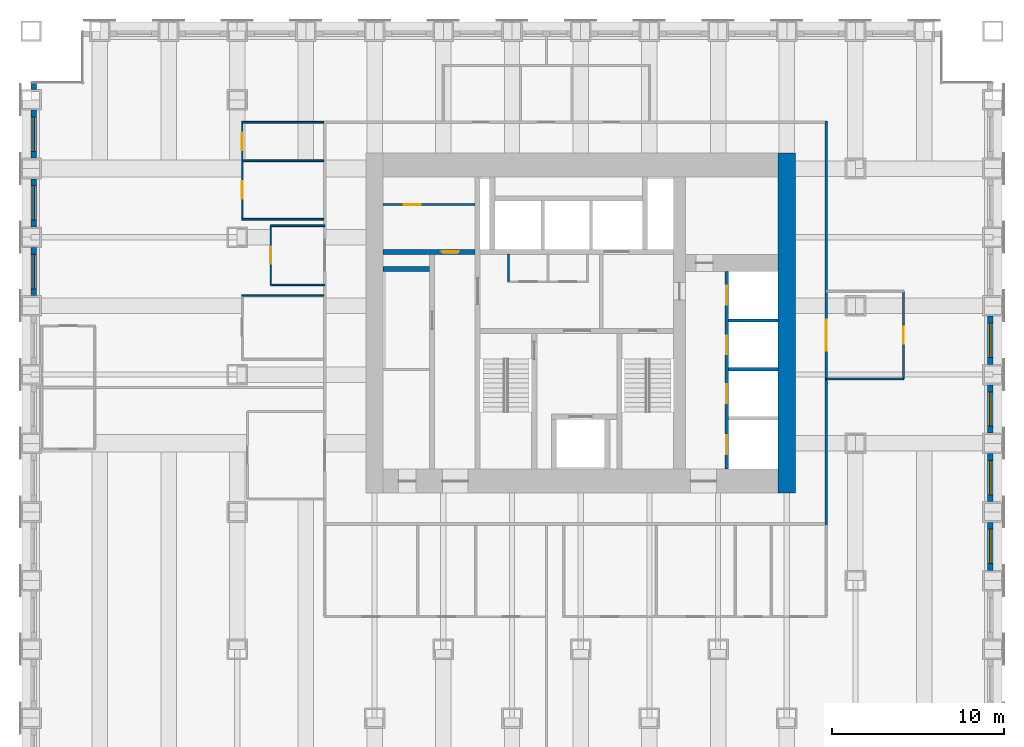
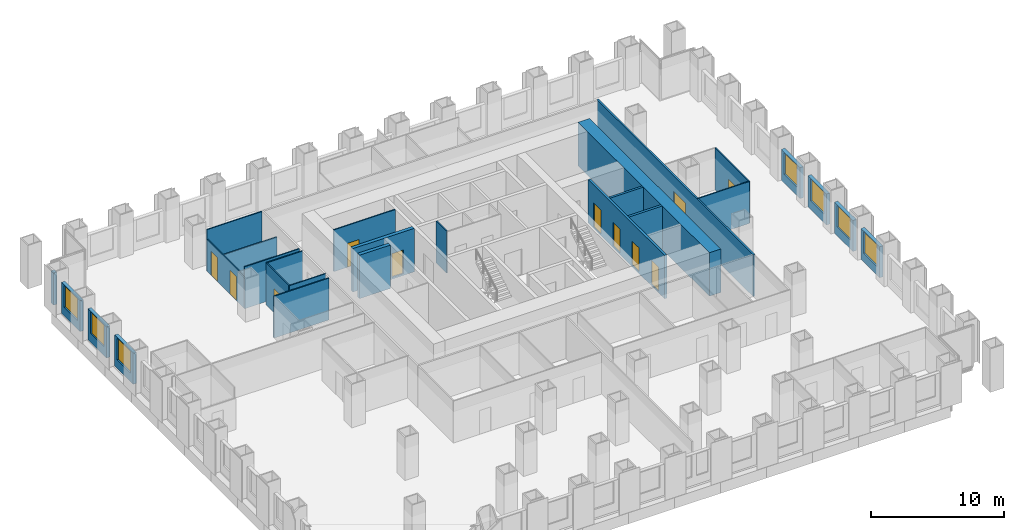
# One storey, part 11 of 15: 27 walls, 11 doors, 7 windows, 18 openings.
"""IFC4 building model written with IfcOpenShell, lengths in metres."""

from ifc_helpers import new_model, si_unit, direction, frame, frame_2d, origin, place, context, subcontext, project, spatial, rectangle, extrude, material, layer, layer_set, type_object, element, fill, save


model = new_model("IFC4")

# Units and contexts
model_context = context("Model", 3, precision=1e-05, world=origin(), true_north=direction((0.0, 1.0)))
body_context = subcontext(model_context, "Body", "Model", "MODEL_VIEW")
ifc_project = project(units=[si_unit("LENGTHUNIT", "METRE"), si_unit("AREAUNIT", "SQUARE_METRE"), si_unit("VOLUMEUNIT", "CUBIC_METRE"), si_unit("PLANEANGLEUNIT", "RADIAN"), si_unit("MASSUNIT", "GRAM", prefix="KILO")], contexts=[model_context])

# Site, building, storey
site_placement = place(None, origin())
site = spatial("IfcSite", under=ifc_project, at=site_placement, CompositionType="ELEMENT")
building_placement = place(site_placement, origin())
building = spatial("IfcBuilding", under=site, at=building_placement, Name="Rimbunsela Tower", CompositionType="ELEMENT")
storey_placement = place(building_placement, frame((0.0, 0.0, 31.0)))
storey = spatial("IfcBuildingStorey", under=building, at=storey_placement, Name="L07", CompositionType="ELEMENT", Elevation=31.0)

# Wall, opening, door
ifc_material_1 = material(Name="Concrete fc' 80 MPa", Category="concrete")
ifc_layer_1 = layer(ifc_material_1, 0.300048828125)
ifc_layer_set_1 = layer_set([ifc_layer_1], Name="Core internal wall 300")
wall_type_1 = type_object("IfcWallType", Name="Core internal wall 300", PredefinedType="SHEAR", material=ifc_layer_set_1)
wall_1_placement = place(storey_placement, frame((18.5, 31.14990234375, -0.14990234375), z_axis=(0.0, 0.0, 1.0), x_axis=(1.0, 0.0, 0.0)))
wall_1 = element("IfcWall", 1, at=wall_1_placement, inside=storey, type_object=wall_type_1, Name="Store wall", PredefinedType="SHEAR", context=body_context, shape_type="SweptSolid", body=[
    extrude(rectangle(XDim=5.35009765625, YDim=0.300048828125, at=frame_2d((2.675048828125, 0.0))), origin(), (0.0, 0.0, 1.0), 4.0),
])
opening_1_placement = place(wall_1_placement, frame((3.39990234375, 0.0, 0.14990234375)))
opening_1 = element("IfcOpeningElement", 2, at=opening_1_placement, cuts=wall_1, Name="Opening D19", PredefinedType="OPENING", context=body_context, shape_type="SweptSolid", body=[
    extrude(rectangle(XDim=1.0, YDim=2.199951171875, at=frame_2d((0.5, 1.10009765625))), frame((0.0, 0.159912109375, 0.0), z_axis=(0.0, -1.0, 0.0), x_axis=(1.0, 0.0, 0.0)), (0.0, 0.0, 1.0), 0.320068359375),
])
ifc_material_2 = material(Name="Steel door, fire rated", Category="steel")
door_type_1 = type_object("IfcDoorType", Name="Service door 1000 fire rated", OperationType="SINGLE_SWING_LEFT", PredefinedType="DOOR", material=ifc_material_2)
door_1_placement = place(opening_1_placement, origin())
door_1 = element("IfcDoor", 3, at=door_1_placement, inside=storey, type_object=door_type_1, Name="Cleaners store door", OperationType="SINGLE_SWING_LEFT", OverallHeight=2.199951171875, OverallWidth=1.0, PredefinedType="DOOR", context=body_context, shape_type="SweptSolid", body=[
    extrude(rectangle(XDim=1.0, YDim=2.199951171875, at=frame_2d((0.5, 1.10009765625))), frame((0.0, 0.02490234375, 0.0), z_axis=(0.0, -1.0, 0.0), x_axis=(1.0, 0.0, 0.0)), (0.0, 0.0, 1.0), 0.050048828125),
])
fill(opening_1, door_1)

# Wall
wall_2_placement = place(storey_placement, frame((18.5, 30.14990234375, -0.14990234375), z_axis=(0.0, 0.0, 1.0), x_axis=(1.0, 0.0, 0.0)))
element("IfcWall", 4, at=wall_2_placement, inside=storey, type_object=wall_type_1, Name="Lift shaft rear west", PredefinedType="SHEAR", context=body_context, shape_type="SweptSolid", body=[
    extrude(rectangle(XDim=2.699951171875, YDim=0.300048828125, at=frame_2d((1.35009765625, 0.0))), origin(), (0.0, 0.0, 1.0), 4.0),
])

# Wall, opening, door
ifc_material_3 = material(Name="Concrete blockwork", Category="masonry")
ifc_layer_2 = layer(ifc_material_3, 0.10009765625)
ifc_layer_set_2 = layer_set([ifc_layer_2], Name="Core room partition 100")
wall_type_2 = type_object("IfcWallType", Name="Core room partition 100", PredefinedType="PARTITIONING", material=ifc_layer_set_2)
wall_3_placement = place(storey_placement, frame((18.5, 33.89990234375, 0.0), z_axis=(0.0, 0.0, 1.0), x_axis=(1.0, 0.0, 0.0)))
wall_3 = element("IfcWall", 5, at=wall_3_placement, inside=storey, type_object=wall_type_2, Name="Equipment store wall", PredefinedType="PARTITIONING", context=body_context, shape_type="SweptSolid", body=[
    extrude(rectangle(XDim=5.35009765625, YDim=0.10009765625, at=frame_2d((2.675048828125, 0.0))), origin(), (0.0, 0.0, 1.0), 3.85009765625),
])
opening_2_placement = place(wall_3_placement, frame((1.199951171875, 0.0, 0.0)))
opening_2 = element("IfcOpeningElement", 6, at=opening_2_placement, cuts=wall_3, Name="Opening D19", PredefinedType="OPENING", context=body_context, shape_type="SweptSolid", body=[
    extrude(rectangle(XDim=1.0, YDim=2.199951171875, at=frame_2d((0.5, 1.10009765625))), frame((0.0, 0.06005859375, 0.0), z_axis=(0.0, -1.0, 0.0), x_axis=(1.0, 0.0, 0.0)), (0.0, 0.0, 1.0), 0.1201171875),
])
door_2_placement = place(opening_2_placement, origin())
door_2 = element("IfcDoor", 7, at=door_2_placement, inside=storey, type_object=door_type_1, Name="Equipment store door", OperationType="SINGLE_SWING_LEFT", OverallHeight=2.199951171875, OverallWidth=1.0, PredefinedType="DOOR", context=body_context, shape_type="SweptSolid", body=[
    extrude(rectangle(XDim=1.0, YDim=2.199951171875, at=frame_2d((0.5, 1.10009765625))), frame((0.0, 0.02490234375, 0.0), z_axis=(0.0, -1.0, 0.0), x_axis=(1.0, 0.0, 0.0)), (0.0, 0.0, 1.0), 0.050048828125),
])
fill(opening_2, door_2)

# Walls
wall_4_placement = place(storey_placement, frame((25.800048828125, 29.449951171875, 0.0), z_axis=(0.0, 0.0, 1.0), x_axis=(0.0, 1.0, 0.0)))
element("IfcWall", 8, at=wall_4_placement, inside=storey, type_object=wall_type_2, Name="Lobby room wall", PredefinedType="PARTITIONING", context=body_context, shape_type="SweptSolid", body=[
    extrude(rectangle(XDim=1.550048828125, YDim=0.10009765625, at=frame_2d((0.77490234375, 0.0))), origin(), (0.0, 0.0, 1.0), 3.85009765625),
])
ifc_material_4 = material(Name="Concrete fc' 80 MPa", Category="concrete")
ifc_layer_3 = layer(ifc_material_4, 1.0)
ifc_layer_set_3 = layer_set([ifc_layer_3], Name="Core wall 1000")
wall_type_3 = type_object("IfcWallType", Name="Core wall 1000", PredefinedType="SHEAR", material=ifc_layer_set_3)
wall_5_placement = place(storey_placement, frame((42.0, 17.10009765625, -0.14990234375), z_axis=(0.0, 0.0, 1.0), x_axis=(0.0, 1.0, 0.0)))
element("IfcWall", 9, at=wall_5_placement, inside=storey, type_object=wall_type_3, Name="Core wall east", PredefinedType="SHEAR", context=body_context, shape_type="SweptSolid", body=[
    extrude(rectangle(XDim=19.7998046875, YDim=1.0, at=frame_2d((9.89990234375, 0.0))), origin(), (0.0, 0.0, 1.0), 4.0),
])

# Wall, openings, doors
ifc_material_5 = material(Name="Concrete blockwork", Category="masonry")
ifc_layer_4 = layer(ifc_material_5, 0.199951171875)
ifc_layer_set_4 = layer_set([ifc_layer_4], Name="Lift shaft wall 200")
wall_type_4 = type_object("IfcWallType", Name="Lift shaft wall 200", PredefinedType="SOLIDWALL", material=ifc_layer_set_4)
wall_6_placement = place(storey_placement, frame((38.5, 18.5, -0.14990234375), z_axis=(0.0, 0.0, 1.0), x_axis=(0.0, 1.0, 0.0)))
wall_6 = element("IfcWall", 10, at=wall_6_placement, inside=storey, type_object=wall_type_4, Name="Lift shaft front east", PredefinedType="SOLIDWALL", context=body_context, shape_type="SweptSolid", body=[
    extrude(rectangle(XDim=11.5, YDim=0.199951171875, at=frame_2d((5.75, 0.0))), origin(), (0.0, 0.0, 1.0), 4.0),
])
opening_3_placement = place(wall_6_placement, frame((0.875, 0.0, 0.14990234375)))
opening_3 = element("IfcOpeningElement", 11, at=opening_3_placement, cuts=wall_6, Name="Opening LD1", PredefinedType="OPENING", context=body_context, shape_type="SweptSolid", body=[
    extrude(rectangle(XDim=1.10009765625, YDim=2.199951171875, at=frame_2d((0.550048828125, 1.10009765625))), frame((0.0, 0.10986328125, 0.0), z_axis=(0.0, -1.0, 0.0), x_axis=(1.0, 0.0, 0.0)), (0.0, 0.0, 1.0), 0.219970703125),
])
opening_4_placement = place(wall_6_placement, frame((3.824951171875, 0.0, 0.14990234375)))
opening_4 = element("IfcOpeningElement", 12, at=opening_4_placement, cuts=wall_6, Name="Opening LD1", PredefinedType="OPENING", context=body_context, shape_type="SweptSolid", body=[
    extrude(rectangle(XDim=1.10009765625, YDim=2.199951171875, at=frame_2d((0.550048828125, 1.10009765625))), frame((0.0, 0.10986328125, 0.0), z_axis=(0.0, -1.0, 0.0), x_axis=(1.0, 0.0, 0.0)), (0.0, 0.0, 1.0), 0.219970703125),
])
opening_5_placement = place(wall_6_placement, frame((6.675048828125, 0.0, 0.14990234375)))
opening_5 = element("IfcOpeningElement", 13, at=opening_5_placement, cuts=wall_6, Name="Opening LD1", PredefinedType="OPENING", context=body_context, shape_type="SweptSolid", body=[
    extrude(rectangle(XDim=1.10009765625, YDim=2.199951171875, at=frame_2d((0.550048828125, 1.10009765625))), frame((0.0, 0.10986328125, 0.0), z_axis=(0.0, -1.0, 0.0), x_axis=(1.0, 0.0, 0.0)), (0.0, 0.0, 1.0), 0.219970703125),
])
opening_6_placement = place(wall_6_placement, frame((9.574951171875, 0.0, 0.14990234375)))
opening_6 = element("IfcOpeningElement", 14, at=opening_6_placement, cuts=wall_6, Name="Opening LD1", PredefinedType="OPENING", context=body_context, shape_type="SweptSolid", body=[
    extrude(rectangle(XDim=1.10009765625, YDim=2.199951171875, at=frame_2d((0.550048828125, 1.10009765625))), frame((0.0, 0.10986328125, 0.0), z_axis=(0.0, -1.0, 0.0), x_axis=(1.0, 0.0, 0.0)), (0.0, 0.0, 1.0), 0.219970703125),
])
ifc_material_6 = material(Name="Steel door, fire rated", Category="steel")
door_type_2 = type_object("IfcDoorType", Name="Lift landing door 1100", OperationType="DOUBLE_DOOR_SLIDING", PredefinedType="DOOR", material=ifc_material_6)
door_3_placement = place(opening_3_placement, origin())
door_3 = element("IfcDoor", 15, at=door_3_placement, inside=storey, type_object=door_type_2, Name="Lift landing door LL1", OperationType="DOUBLE_DOOR_SLIDING", OverallHeight=2.199951171875, OverallWidth=1.10009765625, PredefinedType="DOOR", context=body_context, shape_type="SweptSolid", body=[
    extrude(rectangle(XDim=1.10009765625, YDim=2.199951171875, at=frame_2d((0.550048828125, 1.10009765625))), frame((0.0, 0.02490234375, 0.0), z_axis=(0.0, -1.0, 0.0), x_axis=(1.0, 0.0, 0.0)), (0.0, 0.0, 1.0), 0.050048828125),
])
fill(opening_3, door_3)
door_4_placement = place(opening_4_placement, origin())
door_4 = element("IfcDoor", 16, at=door_4_placement, inside=storey, type_object=door_type_2, Name="Lift landing door LL2", OperationType="DOUBLE_DOOR_SLIDING", OverallHeight=2.199951171875, OverallWidth=1.10009765625, PredefinedType="DOOR", context=body_context, shape_type="SweptSolid", body=[
    extrude(rectangle(XDim=1.10009765625, YDim=2.199951171875, at=frame_2d((0.550048828125, 1.10009765625))), frame((0.0, 0.02490234375, 0.0), z_axis=(0.0, -1.0, 0.0), x_axis=(1.0, 0.0, 0.0)), (0.0, 0.0, 1.0), 0.050048828125),
])
fill(opening_4, door_4)
door_5_placement = place(opening_5_placement, origin())
door_5 = element("IfcDoor", 17, at=door_5_placement, inside=storey, type_object=door_type_2, Name="Lift landing door LL3", OperationType="DOUBLE_DOOR_SLIDING", OverallHeight=2.199951171875, OverallWidth=1.10009765625, PredefinedType="DOOR", context=body_context, shape_type="SweptSolid", body=[
    extrude(rectangle(XDim=1.10009765625, YDim=2.199951171875, at=frame_2d((0.550048828125, 1.10009765625))), frame((0.0, 0.02490234375, 0.0), z_axis=(0.0, -1.0, 0.0), x_axis=(1.0, 0.0, 0.0)), (0.0, 0.0, 1.0), 0.050048828125),
])
fill(opening_5, door_5)
door_6_placement = place(opening_6_placement, origin())
door_6 = element("IfcDoor", 18, at=door_6_placement, inside=storey, type_object=door_type_2, Name="Lift landing door LL4", OperationType="DOUBLE_DOOR_SLIDING", OverallHeight=2.199951171875, OverallWidth=1.10009765625, PredefinedType="DOOR", context=body_context, shape_type="SweptSolid", body=[
    extrude(rectangle(XDim=1.10009765625, YDim=2.199951171875, at=frame_2d((0.550048828125, 1.10009765625))), frame((0.0, 0.02490234375, 0.0), z_axis=(0.0, -1.0, 0.0), x_axis=(1.0, 0.0, 0.0)), (0.0, 0.0, 1.0), 0.050048828125),
])
fill(opening_6, door_6)

# Walls
for number, where, z_axis, x_axis, name in (
    (19, (38.60009765625, 24.300048828125, -0.14990234375), (0.0, 0.0, 1.0), (1.0, 0.0, 0.0), "Lift shaft separation"),
    (20, (38.60009765625, 27.14990234375, -0.14990234375), (0.0, 0.0, 1.0), (1.0, 0.0, 0.0), "Lift shaft separation"),
):
    element("IfcWall", number, at=place(storey_placement, frame(where, z_axis=z_axis, x_axis=x_axis)), inside=storey, type_object=wall_type_4, Name=name, PredefinedType="SOLIDWALL", context=body_context, shape_type="SweptSolid", body=[
        extrude(rectangle(XDim=2.89990234375, YDim=0.199951171875, at=frame_2d((1.449951171875, 0.0))), origin(), (0.0, 0.0, 1.0), 4.0),
    ])
ifc_material_7 = material(Name="Gypsum board on steel studs", Category="steel")
ifc_layer_5 = layer(ifc_material_7, 0.10009765625)
ifc_layer_set_5 = layer_set([ifc_layer_5], Name="Office partition 100")
wall_type_5 = type_object("IfcWallType", Name="Office partition 100", PredefinedType="PARTITIONING", material=ifc_layer_set_5)
for number, where, z_axis, x_axis, name in (
    (21, (10.25, 28.60009765625, 0.0), (0.0, 0.0, 1.0), (1.0, 0.0, 0.0), "Office partition"),
    (22, (10.25, 33.050048828125, 0.0), (0.0, 0.0, 1.0), (1.0, 0.0, 0.0), "Office partition"),
):
    element("IfcWall", number, at=place(storey_placement, frame(where, z_axis=z_axis, x_axis=x_axis)), inside=storey, type_object=wall_type_5, Name=name, PredefinedType="PARTITIONING", context=body_context, shape_type="SweptSolid", body=[
        extrude(rectangle(XDim=4.77490234375, YDim=0.10009765625, at=frame_2d((2.387451171875, 0.0))), origin(), (0.0, 0.0, 1.0), 3.85009765625),
    ])
wall_7_placement = place(storey_placement, frame((10.35009765625, 36.449951171875, 0.0), z_axis=(0.0, 0.0, 1.0), x_axis=(1.0, 0.0, 0.0)))
element("IfcWall", 23, at=wall_7_placement, inside=storey, type_object=wall_type_5, Name="Office partition", PredefinedType="PARTITIONING", context=body_context, shape_type="SweptSolid", body=[
    extrude(rectangle(XDim=4.6748046875, YDim=0.10009765625, at=frame_2d((2.33740234375, 0.0))), origin(), (0.0, 0.0, 1.0), 2.85009765625),
])
wall_8_placement = place(storey_placement, frame((10.25, 38.699951171875, 0.0), z_axis=(0.0, 0.0, 1.0), x_axis=(1.0, 0.0, 0.0)))
element("IfcWall", 24, at=wall_8_placement, inside=storey, type_object=wall_type_5, Name="Office partition", PredefinedType="PARTITIONING", context=body_context, shape_type="SweptSolid", body=[
    extrude(rectangle(XDim=4.77490234375, YDim=0.10009765625, at=frame_2d((2.387451171875, 0.0))), origin(), (0.0, 0.0, 1.0), 3.85009765625),
])

# Wall, openings, doors
wall_9_placement = place(storey_placement, frame((10.300048828125, 33.10009765625, 0.0), z_axis=(0.0, 0.0, 1.0), x_axis=(0.0, 1.0, 0.0)))
wall_9 = element("IfcWall", 25, at=wall_9_placement, inside=storey, type_object=wall_type_5, Name="Office partition", PredefinedType="PARTITIONING", context=body_context, shape_type="SweptSolid", body=[
    extrude(rectangle(XDim=5.5498046875, YDim=0.10009765625, at=frame_2d((2.77490234375, 0.0))), origin(), (0.0, 0.0, 1.0), 2.949951171875),
])
opening_7_placement = place(wall_9_placement, frame((1.14990234375, 0.0, 0.0)))
opening_7 = element("IfcOpeningElement", 26, at=opening_7_placement, cuts=wall_9, Name="Opening D16", PredefinedType="OPENING", context=body_context, shape_type="SweptSolid", body=[
    extrude(rectangle(XDim=1.0, YDim=2.199951171875, at=frame_2d((0.5, 1.10009765625))), frame((0.0, 0.06005859375, 0.0), z_axis=(0.0, -1.0, 0.0), x_axis=(1.0, 0.0, 0.0)), (0.0, 0.0, 1.0), 0.1201171875),
])
opening_8_placement = place(wall_9_placement, frame((3.97509765625, 0.0, 0.0)))
opening_8 = element("IfcOpeningElement", 27, at=opening_8_placement, cuts=wall_9, Name="Opening D16", PredefinedType="OPENING", context=body_context, shape_type="SweptSolid", body=[
    extrude(rectangle(XDim=1.0, YDim=2.199951171875, at=frame_2d((0.5, 1.10009765625))), frame((0.0, 0.06005859375, 0.0), z_axis=(0.0, -1.0, 0.0), x_axis=(1.0, 0.0, 0.0)), (0.0, 0.0, 1.0), 0.1201171875),
])
ifc_material_8 = material(Name="Timber door", Category="wood")
door_type_3 = type_object("IfcDoorType", Name="Office door 1000", OperationType="SINGLE_SWING_LEFT", PredefinedType="DOOR", material=ifc_material_8)
door_7_placement = place(opening_7_placement, origin())
door_7 = element("IfcDoor", 28, at=door_7_placement, inside=storey, type_object=door_type_3, Name="Office door", OperationType="SINGLE_SWING_LEFT", OverallHeight=2.199951171875, OverallWidth=1.0, PredefinedType="DOOR", context=body_context, shape_type="SweptSolid", body=[
    extrude(rectangle(XDim=1.0, YDim=2.199951171875, at=frame_2d((0.5, 1.10009765625))), frame((0.0, 0.02490234375, 0.0), z_axis=(0.0, -1.0, 0.0), x_axis=(1.0, 0.0, 0.0)), (0.0, 0.0, 1.0), 0.050048828125),
])
fill(opening_7, door_7)
door_8_placement = place(opening_8_placement, origin())
door_8 = element("IfcDoor", 29, at=door_8_placement, inside=storey, type_object=door_type_3, Name="Office door", OperationType="SINGLE_SWING_LEFT", OverallHeight=2.199951171875, OverallWidth=1.0, PredefinedType="DOOR", context=body_context, shape_type="SweptSolid", body=[
    extrude(rectangle(XDim=1.0, YDim=2.199951171875, at=frame_2d((0.5, 1.10009765625))), frame((0.0, 0.02490234375, 0.0), z_axis=(0.0, -1.0, 0.0), x_axis=(1.0, 0.0, 0.0)), (0.0, 0.0, 1.0), 0.050048828125),
])
fill(opening_8, door_8)

# Wall
wall_10_placement = place(storey_placement, frame((15.10009765625, 32.675048828125, 0.0), z_axis=(0.0, 0.0, 1.0), x_axis=(-1.0, 0.0, 0.0)))
element("IfcWall", 30, at=wall_10_placement, inside=storey, type_object=wall_type_5, Name="Office partition", PredefinedType="PARTITIONING", context=body_context, shape_type="SweptSolid", body=[
    extrude(rectangle(XDim=3.150146484375, YDim=0.10009765625, at=frame_2d((1.5751953125, 0.0))), origin(), (0.0, 0.0, 1.0), 3.85009765625),
])

# Wall, opening, door
wall_11_placement = place(storey_placement, frame((11.949951171875, 32.675048828125, 0.0), z_axis=(0.0, 0.0, 1.0), x_axis=(0.0, -1.0, 0.0)))
wall_11 = element("IfcWall", 31, at=wall_11_placement, inside=storey, type_object=wall_type_5, Name="Office partition", PredefinedType="PARTITIONING", context=body_context, shape_type="SweptSolid", body=[
    extrude(rectangle(XDim=3.449951171875, YDim=0.10009765625, at=frame_2d((1.72509765625, 0.0))), origin(), (0.0, 0.0, 1.0), 3.85009765625),
])
opening_9_placement = place(wall_11_placement, frame((1.22509765625, 0.0, 0.0)))
opening_9 = element("IfcOpeningElement", 32, at=opening_9_placement, cuts=wall_11, Name="Opening D17", PredefinedType="OPENING", context=body_context, shape_type="SweptSolid", body=[
    extrude(rectangle(XDim=1.0, YDim=2.199951171875, at=frame_2d((0.5, 1.10009765625))), frame((0.0, 0.06005859375, 0.0), z_axis=(0.0, -1.0, 0.0), x_axis=(1.0, 0.0, 0.0)), (0.0, 0.0, 1.0), 0.1201171875),
])
ifc_material_9 = material(Name="Glazed aluminium door", Category="aluminium")
door_type_4 = type_object("IfcDoorType", Name="Meeting room door 1000 glazed", OperationType="SINGLE_SWING_RIGHT", PredefinedType="DOOR", material=ifc_material_9)
door_9_placement = place(opening_9_placement, origin())
door_9 = element("IfcDoor", 33, at=door_9_placement, inside=storey, type_object=door_type_4, Name="Reception door", OperationType="SINGLE_SWING_RIGHT", OverallHeight=2.199951171875, OverallWidth=1.0, PredefinedType="DOOR", context=body_context, shape_type="SweptSolid", body=[
    extrude(rectangle(XDim=1.0, YDim=2.199951171875, at=frame_2d((0.5, 1.10009765625))), frame((0.0, 0.02490234375, 0.0), z_axis=(0.0, -1.0, 0.0), x_axis=(1.0, 0.0, 0.0)), (0.0, 0.0, 1.0), 0.050048828125),
])
fill(opening_9, door_9)

# Walls
wall_12_placement = place(storey_placement, frame((11.949951171875, 29.22509765625, 0.0), z_axis=(0.0, 0.0, 1.0), x_axis=(1.0, 0.0, 0.0)))
element("IfcWall", 34, at=wall_12_placement, inside=storey, type_object=wall_type_5, Name="Office partition", PredefinedType="PARTITIONING", context=body_context, shape_type="SweptSolid", body=[
    extrude(rectangle(XDim=3.150146484375, YDim=0.10009765625, at=frame_2d((1.5751953125, 0.0))), origin(), (0.0, 0.0, 1.0), 3.85009765625),
])
wall_13_placement = place(storey_placement, frame((44.300048828125, 23.75, 0.0), z_axis=(0.0, 0.0, 1.0), x_axis=(1.0, 0.0, 0.0)))
element("IfcWall", 35, at=wall_13_placement, inside=storey, type_object=wall_type_5, Name="Office partition", PredefinedType="PARTITIONING", context=body_context, shape_type="SweptSolid", body=[
    extrude(rectangle(XDim=4.5, YDim=0.10009765625, at=frame_2d((2.25, 0.0))), origin(), (0.0, 0.0, 1.0), 3.85009765625),
])

# Wall, opening, door
wall_14_placement = place(storey_placement, frame((48.800048828125, 23.75, 0.0), z_axis=(0.0, 0.0, 1.0), x_axis=(0.0, 1.0, 0.0)))
wall_14 = element("IfcWall", 36, at=wall_14_placement, inside=storey, type_object=wall_type_5, Name="Office partition", PredefinedType="PARTITIONING", context=body_context, shape_type="SweptSolid", body=[
    extrude(rectangle(XDim=5.10009765625, YDim=0.10009765625, at=frame_2d((2.550048828125, 0.0))), origin(), (0.0, 0.0, 1.0), 3.85009765625),
])
opening_10_placement = place(wall_14_placement, frame((2.050048828125, 0.0, 0.0)))
opening_10 = element("IfcOpeningElement", 37, at=opening_10_placement, cuts=wall_14, Name="Opening D17", PredefinedType="OPENING", context=body_context, shape_type="SweptSolid", body=[
    extrude(rectangle(XDim=1.0, YDim=2.199951171875, at=frame_2d((0.5, 1.10009765625))), frame((0.0, 0.06005859375, 0.0), z_axis=(0.0, -1.0, 0.0), x_axis=(1.0, 0.0, 0.0)), (0.0, 0.0, 1.0), 0.1201171875),
])
door_10_placement = place(opening_10_placement, origin())
door_10 = element("IfcDoor", 38, at=door_10_placement, inside=storey, type_object=door_type_4, Name="Reception door", OperationType="SINGLE_SWING_RIGHT", OverallHeight=2.199951171875, OverallWidth=1.0, PredefinedType="DOOR", context=body_context, shape_type="SweptSolid", body=[
    extrude(rectangle(XDim=1.0, YDim=2.199951171875, at=frame_2d((0.5, 1.10009765625))), frame((0.0, 0.02490234375, 0.0), z_axis=(0.0, -1.0, 0.0), x_axis=(1.0, 0.0, 0.0)), (0.0, 0.0, 1.0), 0.050048828125),
])
fill(opening_10, door_10)

# Wall, opening, window
ifc_material_10 = material(Name="Precast concrete fc' 35 MPa", Category="concrete")
ifc_layer_6 = layer(ifc_material_10, 0.300048828125)
ifc_layer_set_6 = layer_set([ifc_layer_6], Name="Precast concrete fc' 35 MPa")
wall_type_6 = type_object("IfcWallType", Name="Precast facade panel 300", PredefinedType="ELEMENTEDWALL", material=ifc_layer_set_6)
wall_15_placement = place(storey_placement, frame((53.85009765625, 12.60009765625, 0.0), z_axis=(0.0, 0.0, 1.0), x_axis=(0.0, 1.0, 0.0)))
wall_15 = element("IfcWall", 39, at=wall_15_placement, inside=storey, type_object=wall_type_6, Name="Facade panel E L07", PredefinedType="ELEMENTEDWALL", context=body_context, shape_type="SweptSolid", body=[
    extrude(rectangle(XDim=2.7998046875, YDim=0.300048828125, at=frame_2d((1.39990234375, 0.0))), origin(), (0.0, 0.0, 1.0), 2.85009765625),
])
opening_11_placement = place(wall_15_placement, frame((0.39990234375, 0.0, 0.800048828125)))
opening_11 = element("IfcOpeningElement", 40, at=opening_11_placement, cuts=wall_15, Name="Opening W1", PredefinedType="OPENING", context=body_context, shape_type="SweptSolid", body=[
    extrude(rectangle(XDim=2.0, YDim=2.0, at=frame_2d((1.0, 1.0))), frame((0.0, 0.159912109375, 0.0), z_axis=(0.0, -1.0, 0.0), x_axis=(1.0, 0.0, 0.0)), (0.0, 0.0, 1.0), 0.320068359375),
])
ifc_material_11 = material(Name="Clear glass in aluminium frame", Category="aluminium")
window_type = type_object("IfcWindowType", Name="Window W1 2000x2000", PartitioningType="DOUBLE_PANEL_VERTICAL", PredefinedType="WINDOW", material=ifc_material_11)
window_1_placement = place(opening_11_placement, origin())
window_1 = element("IfcWindow", 41, at=window_1_placement, inside=storey, type_object=window_type, Name="Window L07", OverallHeight=2.0, OverallWidth=2.0, PartitioningType="SINGLE_PANEL", PredefinedType="WINDOW", context=body_context, shape_type="SweptSolid", body=[
    extrude(rectangle(XDim=2.0, YDim=2.0, at=frame_2d((1.0, 1.0))), frame((0.0, 0.030029296875, 0.0), z_axis=(0.0, -1.0, 0.0), x_axis=(1.0, 0.0, 0.0)), (0.0, 0.0, 1.0), 0.06005859375),
])
fill(opening_11, window_1)

wall_16_placement = place(storey_placement, frame((53.85009765625, 16.60009765625, 0.0), z_axis=(0.0, 0.0, 1.0), x_axis=(0.0, 1.0, 0.0)))
wall_16 = element("IfcWall", 42, at=wall_16_placement, inside=storey, type_object=wall_type_6, Name="Facade panel E L07", PredefinedType="ELEMENTEDWALL", context=body_context, shape_type="SweptSolid", body=[
    extrude(rectangle(XDim=2.7998046875, YDim=0.300048828125, at=frame_2d((1.39990234375, 0.0))), origin(), (0.0, 0.0, 1.0), 2.85009765625),
])
opening_12_placement = place(wall_16_placement, frame((0.39990234375, 0.0, 0.800048828125)))
opening_12 = element("IfcOpeningElement", 43, at=opening_12_placement, cuts=wall_16, Name="Opening W1", PredefinedType="OPENING", context=body_context, shape_type="SweptSolid", body=[
    extrude(rectangle(XDim=2.0, YDim=2.0, at=frame_2d((1.0, 1.0))), frame((0.0, 0.159912109375, 0.0), z_axis=(0.0, -1.0, 0.0), x_axis=(1.0, 0.0, 0.0)), (0.0, 0.0, 1.0), 0.320068359375),
])
window_2_placement = place(opening_12_placement, origin())
window_2 = element("IfcWindow", 44, at=window_2_placement, inside=storey, type_object=window_type, Name="Window L07", OverallHeight=2.0, OverallWidth=2.0, PartitioningType="SINGLE_PANEL", PredefinedType="WINDOW", context=body_context, shape_type="SweptSolid", body=[
    extrude(rectangle(XDim=2.0, YDim=2.0, at=frame_2d((1.0, 1.0))), frame((0.0, 0.030029296875, 0.0), z_axis=(0.0, -1.0, 0.0), x_axis=(1.0, 0.0, 0.0)), (0.0, 0.0, 1.0), 0.06005859375),
])
fill(opening_12, window_2)

wall_17_placement = place(storey_placement, frame((53.85009765625, 20.60009765625, 0.0), z_axis=(0.0, 0.0, 1.0), x_axis=(0.0, 1.0, 0.0)))
wall_17 = element("IfcWall", 45, at=wall_17_placement, inside=storey, type_object=wall_type_6, Name="Facade panel E L07", PredefinedType="ELEMENTEDWALL", context=body_context, shape_type="SweptSolid", body=[
    extrude(rectangle(XDim=2.7998046875, YDim=0.300048828125, at=frame_2d((1.39990234375, 0.0))), origin(), (0.0, 0.0, 1.0), 2.85009765625),
])
opening_13_placement = place(wall_17_placement, frame((0.39990234375, 0.0, 0.800048828125)))
opening_13 = element("IfcOpeningElement", 46, at=opening_13_placement, cuts=wall_17, Name="Opening W1", PredefinedType="OPENING", context=body_context, shape_type="SweptSolid", body=[
    extrude(rectangle(XDim=2.0, YDim=2.0, at=frame_2d((1.0, 1.0))), frame((0.0, 0.159912109375, 0.0), z_axis=(0.0, -1.0, 0.0), x_axis=(1.0, 0.0, 0.0)), (0.0, 0.0, 1.0), 0.320068359375),
])
window_3_placement = place(opening_13_placement, origin())
window_3 = element("IfcWindow", 47, at=window_3_placement, inside=storey, type_object=window_type, Name="Window L07", OverallHeight=2.0, OverallWidth=2.0, PartitioningType="SINGLE_PANEL", PredefinedType="WINDOW", context=body_context, shape_type="SweptSolid", body=[
    extrude(rectangle(XDim=2.0, YDim=2.0, at=frame_2d((1.0, 1.0))), frame((0.0, 0.030029296875, 0.0), z_axis=(0.0, -1.0, 0.0), x_axis=(1.0, 0.0, 0.0)), (0.0, 0.0, 1.0), 0.06005859375),
])
fill(opening_13, window_3)

wall_18_placement = place(storey_placement, frame((53.85009765625, 24.60009765625, 0.0), z_axis=(0.0, 0.0, 1.0), x_axis=(0.0, 1.0, 0.0)))
wall_18 = element("IfcWall", 48, at=wall_18_placement, inside=storey, type_object=wall_type_6, Name="Facade panel E L07", PredefinedType="ELEMENTEDWALL", context=body_context, shape_type="SweptSolid", body=[
    extrude(rectangle(XDim=2.7998046875, YDim=0.300048828125, at=frame_2d((1.39990234375, 0.0))), origin(), (0.0, 0.0, 1.0), 2.85009765625),
])
opening_14_placement = place(wall_18_placement, frame((0.39990234375, 0.0, 0.800048828125)))
opening_14 = element("IfcOpeningElement", 49, at=opening_14_placement, cuts=wall_18, Name="Opening W1", PredefinedType="OPENING", context=body_context, shape_type="SweptSolid", body=[
    extrude(rectangle(XDim=2.0, YDim=2.0, at=frame_2d((1.0, 1.0))), frame((0.0, 0.159912109375, 0.0), z_axis=(0.0, -1.0, 0.0), x_axis=(1.0, 0.0, 0.0)), (0.0, 0.0, 1.0), 0.320068359375),
])
window_4_placement = place(opening_14_placement, origin())
window_4 = element("IfcWindow", 50, at=window_4_placement, inside=storey, type_object=window_type, Name="Window L07", OverallHeight=2.0, OverallWidth=2.0, PartitioningType="SINGLE_PANEL", PredefinedType="WINDOW", context=body_context, shape_type="SweptSolid", body=[
    extrude(rectangle(XDim=2.0, YDim=2.0, at=frame_2d((1.0, 1.0))), frame((0.0, 0.030029296875, 0.0), z_axis=(0.0, -1.0, 0.0), x_axis=(1.0, 0.0, 0.0)), (0.0, 0.0, 1.0), 0.06005859375),
])
fill(opening_14, window_4)

wall_19_placement = place(storey_placement, frame((-1.85009765625, 31.39990234375, 0.0), z_axis=(0.0, 0.0, 1.0), x_axis=(0.0, -1.0, 0.0)))
wall_19 = element("IfcWall", 51, at=wall_19_placement, inside=storey, type_object=wall_type_6, Name="Facade panel W L07", PredefinedType="ELEMENTEDWALL", context=body_context, shape_type="SweptSolid", body=[
    extrude(rectangle(XDim=2.7998046875, YDim=0.300048828125, at=frame_2d((1.39990234375, 0.0))), origin(), (0.0, 0.0, 1.0), 2.85009765625),
])
opening_15_placement = place(wall_19_placement, frame((0.39990234375, 0.0, 0.800048828125)))
opening_15 = element("IfcOpeningElement", 52, at=opening_15_placement, cuts=wall_19, Name="Opening W1", PredefinedType="OPENING", context=body_context, shape_type="SweptSolid", body=[
    extrude(rectangle(XDim=2.0, YDim=2.0, at=frame_2d((1.0, 1.0))), frame((0.0, 0.159912109375, 0.0), z_axis=(0.0, -1.0, 0.0), x_axis=(1.0, 0.0, 0.0)), (0.0, 0.0, 1.0), 0.320068359375),
])
window_5_placement = place(opening_15_placement, origin())
window_5 = element("IfcWindow", 53, at=window_5_placement, inside=storey, type_object=window_type, Name="Window L07", OverallHeight=2.0, OverallWidth=2.0, PartitioningType="SINGLE_PANEL", PredefinedType="WINDOW", context=body_context, shape_type="SweptSolid", body=[
    extrude(rectangle(XDim=2.0, YDim=2.0, at=frame_2d((1.0, 1.0))), frame((0.0, 0.030029296875, 0.0), z_axis=(0.0, -1.0, 0.0), x_axis=(1.0, 0.0, 0.0)), (0.0, 0.0, 1.0), 0.06005859375),
])
fill(opening_15, window_5)

wall_20_placement = place(storey_placement, frame((-1.85009765625, 35.39990234375, 0.0), z_axis=(0.0, 0.0, 1.0), x_axis=(0.0, -1.0, 0.0)))
wall_20 = element("IfcWall", 54, at=wall_20_placement, inside=storey, type_object=wall_type_6, Name="Facade panel W L07", PredefinedType="ELEMENTEDWALL", context=body_context, shape_type="SweptSolid", body=[
    extrude(rectangle(XDim=2.7998046875, YDim=0.300048828125, at=frame_2d((1.39990234375, 0.0))), origin(), (0.0, 0.0, 1.0), 2.85009765625),
])
opening_16_placement = place(wall_20_placement, frame((0.39990234375, 0.0, 0.800048828125)))
opening_16 = element("IfcOpeningElement", 55, at=opening_16_placement, cuts=wall_20, Name="Opening W1", PredefinedType="OPENING", context=body_context, shape_type="SweptSolid", body=[
    extrude(rectangle(XDim=2.0, YDim=2.0, at=frame_2d((1.0, 1.0))), frame((0.0, 0.159912109375, 0.0), z_axis=(0.0, -1.0, 0.0), x_axis=(1.0, 0.0, 0.0)), (0.0, 0.0, 1.0), 0.320068359375),
])
window_6_placement = place(opening_16_placement, origin())
window_6 = element("IfcWindow", 56, at=window_6_placement, inside=storey, type_object=window_type, Name="Window L07", OverallHeight=2.0, OverallWidth=2.0, PartitioningType="SINGLE_PANEL", PredefinedType="WINDOW", context=body_context, shape_type="SweptSolid", body=[
    extrude(rectangle(XDim=2.0, YDim=2.0, at=frame_2d((1.0, 1.0))), frame((0.0, 0.030029296875, 0.0), z_axis=(0.0, -1.0, 0.0), x_axis=(1.0, 0.0, 0.0)), (0.0, 0.0, 1.0), 0.06005859375),
])
fill(opening_16, window_6)

wall_21_placement = place(storey_placement, frame((-1.85009765625, 39.39990234375, 0.0), z_axis=(0.0, 0.0, 1.0), x_axis=(0.0, -1.0, 0.0)))
wall_21 = element("IfcWall", 57, at=wall_21_placement, inside=storey, type_object=wall_type_6, Name="Facade panel W L07", PredefinedType="ELEMENTEDWALL", context=body_context, shape_type="SweptSolid", body=[
    extrude(rectangle(XDim=2.7998046875, YDim=0.300048828125, at=frame_2d((1.39990234375, 0.0))), origin(), (0.0, 0.0, 1.0), 2.85009765625),
])
opening_17_placement = place(wall_21_placement, frame((0.39990234375, 0.0, 0.800048828125)))
opening_17 = element("IfcOpeningElement", 58, at=opening_17_placement, cuts=wall_21, Name="Opening W1", PredefinedType="OPENING", context=body_context, shape_type="SweptSolid", body=[
    extrude(rectangle(XDim=2.0, YDim=2.0, at=frame_2d((1.0, 1.0))), frame((0.0, 0.159912109375, 0.0), z_axis=(0.0, -1.0, 0.0), x_axis=(1.0, 0.0, 0.0)), (0.0, 0.0, 1.0), 0.320068359375),
])
window_7_placement = place(opening_17_placement, origin())
window_7 = element("IfcWindow", 59, at=window_7_placement, inside=storey, type_object=window_type, Name="Window L07", OverallHeight=2.0, OverallWidth=2.0, PartitioningType="SINGLE_PANEL", PredefinedType="WINDOW", context=body_context, shape_type="SweptSolid", body=[
    extrude(rectangle(XDim=2.0, YDim=2.0, at=frame_2d((1.0, 1.0))), frame((0.0, 0.030029296875, 0.0), z_axis=(0.0, -1.0, 0.0), x_axis=(1.0, 0.0, 0.0)), (0.0, 0.0, 1.0), 0.06005859375),
])
fill(opening_17, window_7)

# Wall
wall_22_placement = place(storey_placement, frame((-1.85009765625, 40.969970703125, 0.0), z_axis=(0.0, 0.0, 1.0), x_axis=(0.0, -1.0, 0.0)))
element("IfcWall", 60, at=wall_22_placement, inside=storey, type_object=wall_type_6, Name="Facade panel W L07", PredefinedType="ELEMENTEDWALL", context=body_context, shape_type="SweptSolid", body=[
    extrude(rectangle(XDim=0.369873046875, YDim=0.300048828125, at=frame_2d((0.18505859375, 0.0))), origin(), (0.0, 0.0, 1.0), 2.949951171875),
])

# Wall, opening, door
ifc_material_12 = material(Name="Fire-rated gypsum board on steel studs, EI 60", Category="steel")
ifc_layer_7 = layer(ifc_material_12, 0.14990234375)
ifc_layer_set_7 = layer_set([ifc_layer_7], Name="Rated corridor wall 150")
wall_type_7 = type_object("IfcWallType", Name="Rated corridor wall 150", PredefinedType="PARTITIONING", material=ifc_layer_set_7)
wall_23_placement = place(storey_placement, frame((44.300048828125, 15.22509765625, 0.0), z_axis=(0.0, 0.0, 1.0), x_axis=(0.0, 1.0, 0.0)))
wall_23 = element("IfcWall", 61, at=wall_23_placement, inside=storey, type_object=wall_type_7, Name="Corridor wall east", PredefinedType="PARTITIONING", context=body_context, shape_type="SweptSolid", body=[
    extrude(rectangle(XDim=23.5498046875, YDim=0.14990234375, at=frame_2d((11.77490234375, 0.0))), origin(), (0.0, 0.0, 1.0), 3.85009765625),
])
opening_18_placement = place(wall_23_placement, frame((10.175048828125, 0.0, 0.0)))
opening_18 = element("IfcOpeningElement", 62, at=opening_18_placement, cuts=wall_23, Name="Opening D09", PredefinedType="OPENING", context=body_context, shape_type="SweptSolid", body=[
    extrude(rectangle(XDim=1.800048828125, YDim=2.39990234375, at=frame_2d((0.89990234375, 1.199951171875))), frame((0.0, 0.0849609375, 0.0), z_axis=(0.0, -1.0, 0.0), x_axis=(1.0, 0.0, 0.0)), (0.0, 0.0, 1.0), 0.169921875),
])
ifc_material_13 = material(Name="Glazed aluminium door, fire rated", Category="aluminium")
door_type_5 = type_object("IfcDoorType", Name="Tenancy door 1800 glazed", OperationType="DOUBLE_DOOR_DOUBLE_SWING", PredefinedType="DOOR", material=ifc_material_13)
door_11_placement = place(opening_18_placement, origin())
door_11 = element("IfcDoor", 63, at=door_11_placement, inside=storey, type_object=door_type_5, Name="Tenancy door", OperationType="DOUBLE_DOOR_DOUBLE_SWING", OverallHeight=2.39990234375, OverallWidth=1.800048828125, PredefinedType="DOOR", context=body_context, shape_type="SweptSolid", body=[
    extrude(rectangle(XDim=1.800048828125, YDim=2.39990234375, at=frame_2d((0.89990234375, 1.199951171875))), frame((0.0, 0.02490234375, 0.0), z_axis=(0.0, -1.0, 0.0), x_axis=(1.0, 0.0, 0.0)), (0.0, 0.0, 1.0), 0.050048828125),
])
fill(opening_18, door_11)

save(model, "model.ifc")
